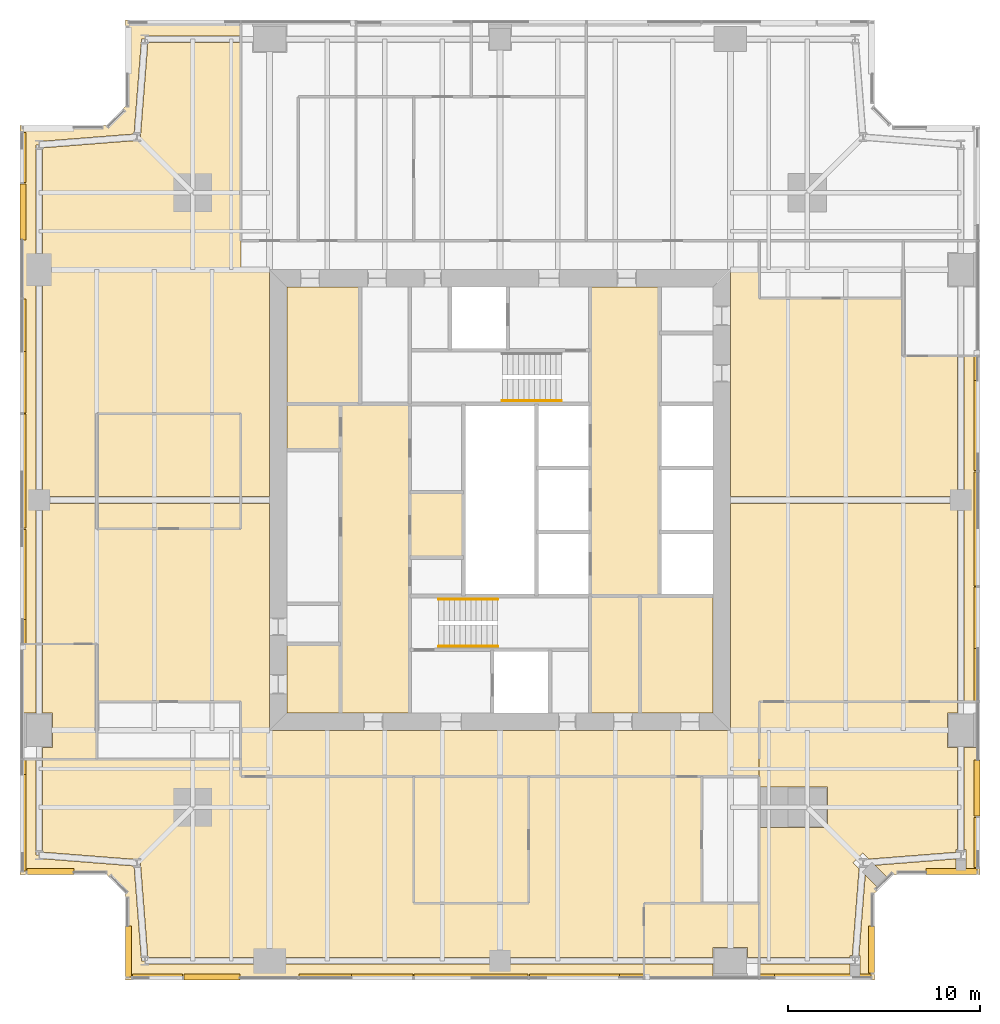
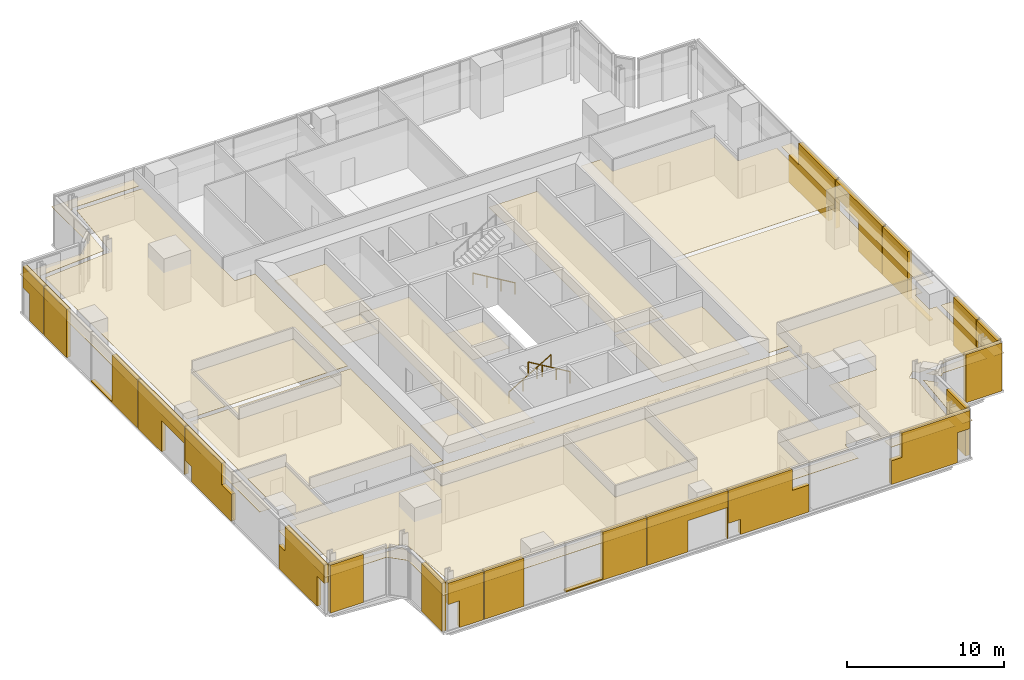
# One storey, part 14 of 15: 50 coverings, 3 railings.
"""IFC4 building model written with IfcOpenShell, lengths in metres."""

import ifcopenshell
import ifcopenshell.guid

model = None  # the IFC model being written
_history = None  # IfcOwnerHistory: only IFC2X3 demands one
_inside = {}  # id of a spatial element -> (the spatial element, [elements in it])
_under = {}  # id of a project, library or spatial element -> (it, [spatial elements below it])
_declared = {}  # id of a project -> (the project, [libraries it declares])
_typed = {}  # id of a type object -> (the type object, [elements of that type])
_made_of = {}  # id of a material, layer set ... -> (it, [elements and type objects made of it])


def new_model(schema):
    """Start an empty IFC model of exactly this schema.

    Asked for "IFC4X3", IfcOpenShell would pick the latest addendum, in which some entities
    have other attributes; the version numbers below select the first issue.
    IFC2X3 requires an IfcOwnerHistory on every rooted entity: one is made here for all.
    """
    global model, _history
    if schema == "IFC4X3":
        model = ifcopenshell.file(schema_version=(4, 3, 0, 0))
    else:
        model = ifcopenshell.file(schema=schema)
    _inside.clear()
    _under.clear()
    _declared.clear()
    _typed.clear()
    _made_of.clear()
    _history = None
    if model.schema == "IFC2X3":
        org = make("IfcOrganization", Name="unknown")
        user = make(
            "IfcPersonAndOrganization",
            ThePerson=make("IfcPerson", FamilyName="unknown"),
            TheOrganization=org,
        )
        app = make(
            "IfcApplication",
            ApplicationDeveloper=org,
            Version="unknown",
            ApplicationFullName="unknown",
            ApplicationIdentifier="unknown",
        )
        _history = make(
            "IfcOwnerHistory",
            OwningUser=user,
            OwningApplication=app,
            ChangeAction="ADDED",
            CreationDate=0,
        )
    return model


def make(cls, **values):
    """One entity of the class cls with the attributes given. An attribute that is None is left unset."""
    return model.create_entity(
        cls, **{name: value for name, value in values.items() if value is not None}
    )


def rooted(cls, **values):
    """An entity with a GlobalId (a new one), such as an element, a storey or a relation."""
    return make(cls, GlobalId=ifcopenshell.guid.new(), OwnerHistory=_history, **values)


def si_unit(unit_type, name, prefix=None):
    """IfcSIUnit, for example si_unit("LENGTHUNIT", "METRE", prefix="MILLI")."""
    return make("IfcSIUnit", UnitType=unit_type, Prefix=prefix, Name=name)


def assignment(units):
    """IfcUnitAssignment: the units of a project."""
    return None if units is None else make("IfcUnitAssignment", Units=units)


def point(xyz):
    """IfcCartesianPoint."""
    return None if xyz is None else make("IfcCartesianPoint", Coordinates=xyz)


def direction(xyz):
    """IfcDirection."""
    return None if xyz is None else make("IfcDirection", DirectionRatios=xyz)


def frame(location, z_axis=None, x_axis=None):
    """IfcAxis2Placement3D, a coordinate frame: its origin and axes. An axis left out is left unset."""
    return make(
        "IfcAxis2Placement3D",
        Location=point(location),
        Axis=direction(z_axis),
        RefDirection=direction(x_axis),
    )


def frame_2d(location, x_axis=None):
    """IfcAxis2Placement2D, a coordinate frame in the plane: its origin and x axis."""
    return make(
        "IfcAxis2Placement2D", Location=point(location), RefDirection=direction(x_axis)
    )


def origin():
    """The frame at (0, 0, 0) with its axes left unset."""
    return frame((0.0, 0.0, 0.0))


def origin_2d():
    """The frame at (0, 0) in the plane with its x axis left unset."""
    return frame_2d((0.0, 0.0))


def place(relative_to, where):
    """IfcLocalPlacement: puts the frame where relative to a parent placement (None: the world)."""
    return make(
        "IfcLocalPlacement", PlacementRelTo=relative_to, RelativePlacement=where
    )


def context(
    kind, dimensions, precision=None, world=None, true_north=None, identifier=None
):
    """IfcGeometricRepresentationContext, for example the 3D "Model" context."""
    return make(
        "IfcGeometricRepresentationContext",
        ContextIdentifier=identifier,
        ContextType=kind,
        CoordinateSpaceDimension=dimensions,
        Precision=precision,
        WorldCoordinateSystem=world,
        TrueNorth=true_north,
    )


def subcontext(parent, identifier, kind, view, scale=None):
    """IfcGeometricRepresentationSubContext, for example "Body" below "Model"."""
    return make(
        "IfcGeometricRepresentationSubContext",
        ContextIdentifier=identifier,
        ContextType=kind,
        ParentContext=parent,
        TargetScale=scale,
        TargetView=view,
    )


def project(units=None, contexts=None):
    """IfcProject with its units and contexts."""
    return rooted(
        "IfcProject",
        Name="project",
        RepresentationContexts=contexts,
        UnitsInContext=assignment(units),
    )


def spatial(cls, under=None, at=None, **own):
    """A site, building, storey or space (cls), placed at a placement, below another one or the project."""
    s = rooted(cls, ObjectPlacement=at, **own)
    if under is not None:
        _under.setdefault(under.id(), (under, []))[1].append(s)
    return s


def polyline(points):
    """IfcPolyline through the points."""
    return make("IfcPolyline", Points=[point(p) for p in points])


def profile(cls, at=None, kind="AREA", **sizes):
    """A parametric profile (cls). Its sizes go by their IFC names, for example OverallWidth=200.0."""
    return make(cls, ProfileType=kind, Position=at, **sizes)


def circle(**sizes):
    """IfcCircleProfileDef."""
    return profile("IfcCircleProfileDef", **sizes)


def outline(outer, holes=None, kind="AREA"):
    """IfcArbitraryClosedProfileDef: a profile drawn as a closed curve; with holes, ...WithVoids."""
    if holes is None:
        return make("IfcArbitraryClosedProfileDef", ProfileType=kind, OuterCurve=outer)
    return make(
        "IfcArbitraryProfileDefWithVoids",
        ProfileType=kind,
        OuterCurve=outer,
        InnerCurves=holes,
    )


def extrude(swept, where, along, depth):
    """IfcExtrudedAreaSolid: the profile swept, set in the frame where, extruded along a direction by depth."""
    return make(
        "IfcExtrudedAreaSolid",
        SweptArea=swept,
        Position=where,
        ExtrudedDirection=direction(along),
        Depth=depth,
    )


def shape(context_of_items, identifier, shape_type, items):
    """IfcShapeRepresentation: the items that make up one representation, for example the "Body"."""
    return make(
        "IfcShapeRepresentation",
        ContextOfItems=context_of_items,
        RepresentationIdentifier=identifier,
        RepresentationType=shape_type,
        Items=items,
    )


def material(Name=None, Category=None):
    """IfcMaterial."""
    return make("IfcMaterial", Name=Name, Category=Category)


def layer(
    of_material, thickness, ventilated=None, Name=None, Category=None, Priority=None
):
    """IfcMaterialLayer: one layer of a wall or slab, of a material (None: an air gap)."""
    return make(
        "IfcMaterialLayer",
        Material=of_material,
        LayerThickness=thickness,
        IsVentilated=ventilated,
        Name=Name,
        Category=Category,
        Priority=Priority,
    )


def layer_set(layers, Name=None):
    """IfcMaterialLayerSet."""
    return make("IfcMaterialLayerSet", MaterialLayers=layers, LayerSetName=Name)


def made_of(thing, what):
    """Note that an element or type object is made of a material, layer set ...; save() writes the relation."""
    if what is not None:
        _made_of.setdefault(what.id(), (what, []))[1].append(thing)
    return thing


def type_object(cls, material=None, **own):
    """A type object (cls), such as IfcWallType, which elements share."""
    return made_of(rooted(cls, **own), material)


def element(
    cls,
    number,
    at=None,
    inside=None,
    cuts=None,
    type_object=None,
    material=None,
    context=None,
    identifier="Body",
    shape_type=None,
    held_by="IfcProductDefinitionShape",
    body=None,
    shapes=None,
    **own,
):
    """One element of the class cls, such as IfcWall. Its Tag is "e" and its number.

    at: its placement. inside: the storey or other place that contains it. cuts: it is an
    opening in that element (IfcRelVoidsElement). A single representation is given by context,
    identifier, shape_type and body (its items); several are given by shapes. held_by: the class
    of the entity that holds the representations. save() writes the other relations.
    """
    e = rooted(cls, Tag="e%d" % number, ObjectPlacement=at, **own)
    if body is not None:
        shapes = [shape(context, identifier, shape_type, body)]
    if shapes is not None:
        e.Representation = make(held_by, Representations=shapes)
    if inside is not None:
        _inside.setdefault(inside.id(), (inside, []))[1].append(e)
    if cuts is not None:
        rooted(
            "IfcRelVoidsElement", RelatingBuildingElement=cuts, RelatedOpeningElement=e
        )
    if type_object is not None:
        _typed.setdefault(type_object.id(), (type_object, []))[1].append(e)
    return made_of(e, material)


def aggregate(whole, parts):
    """IfcRelAggregates: a whole, such as a stair, and the parts it consists of."""
    return rooted("IfcRelAggregates", RelatingObject=whole, RelatedObjects=parts)


def save(model, path):
    """Write the relations noted so far, then the file.

    IfcRelAggregates (storeys below a building ...), IfcRelContainedInSpatialStructure (elements
    in a storey), IfcRelDefinesByType, IfcRelAssociatesMaterial and IfcRelDeclares: one each for
    every whole, place, type object, material and project.
    """
    for whole, parts in _under.values():
        aggregate(whole, parts)
    for where, things in _inside.values():
        rooted(
            "IfcRelContainedInSpatialStructure",
            RelatedElements=things,
            RelatingStructure=where,
        )
    for kind, things in _typed.values():
        rooted("IfcRelDefinesByType", RelatedObjects=things, RelatingType=kind)
    for what, things in _made_of.values():
        rooted("IfcRelAssociatesMaterial", RelatedObjects=things, RelatingMaterial=what)
    for by, libraries in _declared.values():
        rooted("IfcRelDeclares", RelatingContext=by, RelatedDefinitions=libraries)
    model.write(path)


model = new_model("IFC4")

# Units and contexts
model_context = context("Model", 3, precision=1e-05, world=origin(), true_north=direction((0.0, 1.0)))
body_context = subcontext(model_context, "Body", "Model", "MODEL_VIEW")
ifc_project = project(units=[si_unit("LENGTHUNIT", "METRE"), si_unit("AREAUNIT", "SQUARE_METRE"), si_unit("VOLUMEUNIT", "CUBIC_METRE"), si_unit("PLANEANGLEUNIT", "RADIAN"), si_unit("MASSUNIT", "GRAM", prefix="KILO")], contexts=[model_context])

# Site, building, storey
site_placement = place(None, origin())
site = spatial("IfcSite", under=ifc_project, at=site_placement, CompositionType="ELEMENT")
building_placement = place(site_placement, origin())
building = spatial("IfcBuilding", under=site, at=building_placement, Name="Fenwick Lantern Interchange", CompositionType="ELEMENT")
storey_placement = place(building_placement, frame((0.0, 0.0, 209.800048828125)))
storey = spatial("IfcBuildingStorey", under=building, at=storey_placement, Name="L49", CompositionType="ELEMENT", Elevation=209.800048828125)

# Coverings
ifc_material_1 = material(Name="Mineral fibre acoustic tile on suspended grid")
ifc_layer_1 = layer(ifc_material_1, 0.02001953125)
ifc_layer_set_1 = layer_set([ifc_layer_1], Name="ACOUSTIC TILE CEILING 20")
covering_type_1 = type_object("IfcCoveringType", Name="ACOUSTIC TILE CEILING 20", PredefinedType="CEILING", material=ifc_layer_set_1)
covering_1_placement = place(storey_placement, frame((0.0, 0.0, 2.699951171875)))
element("IfcCovering", 1, at=covering_1_placement, inside=storey, type_object=covering_type_1, Name="Mail room ceiling", PredefinedType="CEILING", context=body_context, shape_type="SweptSolid", body=[
    extrude(outline(polyline([(13.89990234375, 27.60009765625), (16.699951171875, 27.60009765625), (16.699951171875, 30.0), (13.89990234375, 30.0), (13.89990234375, 27.60009765625)])), origin(), (0.0, 0.0, 1.0), 0.02001953125),
])
covering_2_placement = place(storey_placement, frame((0.0, 0.0, 2.89990234375)))
element("IfcCovering", 2, at=covering_2_placement, inside=storey, type_object=covering_type_1, Name="Open office ceiling", PredefinedType="CEILING", context=body_context, shape_type="SweptSolid", body=[
    extrude(outline(polyline([(26.5, 10.60009765625), (26.5, 4.0), (20.5, 4.0), (20.5, 10.60009765625), (11.5, 10.60009765625), (11.5, 11.5), (1.17236328125, 11.5), (1.17236328125, 6.659423828125), (6.113525390625, 6.27197265625), (6.10009765625, 6.10009765625), (6.27197265625, 6.113525390625), (6.659423828125, 1.17236328125), (13.0, 1.17236328125), (25.0, 1.17236328125), (32.5, 1.17236328125), (32.5, 4.0), (35.5, 4.0), (35.5, 10.60009765625), (26.5, 10.60009765625)])), origin(), (0.0, 0.0, 1.0), 0.02001953125),
])
covering_3_placement = place(storey_placement, frame((0.0, 0.0, 2.89990234375)))
element("IfcCovering", 3, at=covering_3_placement, inside=storey, type_object=covering_type_1, Name="Open office ceiling", PredefinedType="CEILING", context=body_context, shape_type="SweptSolid", body=[
    extrude(outline(polyline([(32.5, 0.0), (32.5, 0.82763671875), (25.0, 0.82763671875), (13.0, 0.82763671875), (6.5, 0.82763671875), (6.5, 1.0), (6.328125, 0.986572265625), (5.939697265625, 5.939697265625), (0.986572265625, 6.328125), (1.0, 6.5), (0.82763671875, 6.5), (0.82763671875, 11.5), (0.0, 11.5), (0.0, 5.5), (4.5, 5.5), (5.5, 4.5), (5.5, 0.0), (32.5, 0.0)])), origin(), (0.0, 0.0, 1.0), 0.02001953125),
])
covering_4_placement = place(storey_placement, frame((0.0, 0.0, 2.89990234375)))
element("IfcCovering", 4, at=covering_4_placement, inside=storey, type_object=covering_type_1, Name="Meeting room ceiling", PredefinedType="CEILING", context=body_context, shape_type="SweptSolid", body=[
    extrude(outline(polyline([(20.5, 4.0), (26.5, 4.0), (26.5, 10.60009765625), (20.5, 10.60009765625), (20.5, 4.0)])), origin(), (0.0, 0.0, 1.0), 0.02001953125),
])
covering_5_placement = place(storey_placement, frame((0.0, 0.0, 2.89990234375)))
element("IfcCovering", 5, at=covering_5_placement, inside=storey, type_object=covering_type_1, Name="Office ceiling", PredefinedType="CEILING", context=body_context, shape_type="SweptSolid", body=[
    extrude(outline(polyline([(32.5, 4.0), (32.5, 1.17236328125), (36.10009765625, 1.17236328125), (36.10009765625, 1.699951171875), (37.89990234375, 1.699951171875), (37.89990234375, 1.17236328125), (38.5, 1.17236328125), (38.5, 4.0), (32.5, 4.0)])), origin(), (0.0, 0.0, 1.0), 0.02001953125),
])
covering_6_placement = place(storey_placement, frame((0.0, 0.0, 2.89990234375)))
element("IfcCovering", 6, at=covering_6_placement, inside=storey, type_object=covering_type_1, Name="Office ceiling", PredefinedType="CEILING", context=body_context, shape_type="SweptSolid", body=[
    extrude(outline(polyline([(32.5, 0.82763671875), (32.5, 0.0), (36.10009765625, 0.0), (36.10009765625, 0.82763671875), (32.5, 0.82763671875)])), origin(), (0.0, 0.0, 1.0), 0.02001953125),
])
covering_7_placement = place(storey_placement, frame((0.0, 0.0, 2.89990234375)))
element("IfcCovering", 7, at=covering_7_placement, inside=storey, type_object=covering_type_1, Name="Open office ceiling", PredefinedType="CEILING", context=body_context, shape_type="SweptSolid", body=[
    extrude(outline(polyline([(38.5, 14.5), (48.82763671875, 14.5), (48.82763671875, 24.824951171875), (37.0, 24.824951171875), (37.0, 13.0), (38.5, 13.0), (38.5, 14.5)])), origin(), (0.0, 0.0, 1.0), 0.02001953125),
])
covering_8_placement = place(storey_placement, frame((0.0, 0.0, 2.89990234375)))
element("IfcCovering", 8, at=covering_8_placement, inside=storey, type_object=covering_type_1, Name="Open office ceiling", PredefinedType="CEILING", context=body_context, shape_type="SweptSolid", body=[
    extrude(outline(polyline([(46.0, 32.5), (46.0, 35.5), (38.5, 35.5), (38.5, 37.0), (37.0, 37.0), (37.0, 25.175048828125), (48.82763671875, 25.175048828125), (48.82763671875, 32.5), (46.0, 32.5)])), origin(), (0.0, 0.0, 1.0), 0.02001953125),
])
covering_9_placement = place(storey_placement, frame((0.0, 0.0, 2.89990234375)))
element("IfcCovering", 9, at=covering_9_placement, inside=storey, type_object=covering_type_1, Name="Open office ceiling", PredefinedType="CEILING", context=body_context, shape_type="SweptSolid", body=[
    extrude(outline(polyline([(50.0, 32.5), (49.17236328125, 32.5), (49.17236328125, 25.0), (49.17236328125, 14.5), (50.0, 14.5), (50.0, 32.5)])), origin(), (0.0, 0.0, 1.0), 0.02001953125),
])
covering_10_placement = place(storey_placement, frame((0.0, 0.0, 2.89990234375)))
element("IfcCovering", 10, at=covering_10_placement, inside=storey, type_object=covering_type_1, Name="Office lounge ceiling", PredefinedType="CEILING", context=body_context, shape_type="SweptSolid", body=[
    extrude(outline(polyline([(43.23779296875, 1.28759765625), (43.349609375, 1.28759765625), (43.701904296875, 5.77783203125), (43.379638671875, 6.10009765625), (43.89990234375, 6.620361328125), (44.22216796875, 6.298095703125), (48.73779296875, 6.65234375), (48.73779296875, 6.78759765625), (48.82763671875, 6.78759765625), (48.82763671875, 12.10009765625), (48.300048828125, 12.10009765625), (48.300048828125, 13.89990234375), (48.82763671875, 13.89990234375), (48.82763671875, 14.5), (38.5, 14.5), (38.5, 10.050048828125), (42.050048828125, 10.050048828125), (42.050048828125, 7.949951171875), (38.5, 7.949951171875), (38.5, 1.17236328125), (43.23779296875, 1.17236328125), (43.23779296875, 1.28759765625)])), origin(), (0.0, 0.0, 1.0), 0.02001953125),
])
covering_11_placement = place(storey_placement, frame((0.0, 0.0, 2.89990234375)))
element("IfcCovering", 11, at=covering_11_placement, inside=storey, type_object=covering_type_1, Name="Office lounge ceiling", PredefinedType="CEILING", context=body_context, shape_type="SweptSolid", body=[
    extrude(outline(polyline([(50.0, 12.10009765625), (49.17236328125, 12.10009765625), (49.17236328125, 6.78759765625), (49.26220703125, 6.78759765625), (49.26220703125, 5.5), (50.0, 5.5), (50.0, 12.10009765625)])), origin(), (0.0, 0.0, 1.0), 0.02001953125),
])
covering_12_placement = place(storey_placement, frame((0.0, 0.0, 2.89990234375)))
element("IfcCovering", 12, at=covering_12_placement, inside=storey, type_object=covering_type_1, Name="Office lounge ceiling", PredefinedType="CEILING", context=body_context, shape_type="SweptSolid", body=[
    extrude(outline(polyline([(43.23779296875, 0.0), (43.23779296875, 0.82763671875), (38.5, 0.82763671875), (38.5, 0.0), (43.23779296875, 0.0)])), origin(), (0.0, 0.0, 1.0), 0.02001953125),
])
covering_13_placement = place(storey_placement, frame((0.0, 0.0, 2.89990234375)))
element("IfcCovering", 13, at=covering_13_placement, inside=storey, type_object=covering_type_1, Name="Office lounge ceiling", PredefinedType="CEILING", context=body_context, shape_type="SweptSolid", body=[
    extrude(outline(polyline([(43.695556640625, 1.28759765625), (43.76220703125, 1.28759765625), (43.76220703125, 0.0), (44.5, 0.0), (44.5, 4.5), (44.73974609375, 4.73974609375), (44.0224609375, 5.457275390625), (43.695556640625, 1.28759765625)])), origin(), (0.0, 0.0, 1.0), 0.02001953125),
])
covering_14_placement = place(storey_placement, frame((0.0, 0.0, 2.89990234375)))
element("IfcCovering", 14, at=covering_14_placement, inside=storey, type_object=covering_type_1, Name="Office lounge ceiling", PredefinedType="CEILING", context=body_context, shape_type="SweptSolid", body=[
    extrude(outline(polyline([(48.73779296875, 5.5), (48.73779296875, 6.306396484375), (44.542724609375, 5.9775390625), (45.26025390625, 5.26025390625), (45.5, 5.5), (48.73779296875, 5.5)])), origin(), (0.0, 0.0, 1.0), 0.02001953125),
])
covering_15_placement = place(storey_placement, frame((0.0, 0.0, 2.89990234375)))
element("IfcCovering", 15, at=covering_15_placement, inside=storey, type_object=covering_type_1, Name="Open office ceiling", PredefinedType="CEILING", context=body_context, shape_type="SweptSolid", body=[
    extrude(outline(polyline([(11.5, 37.0), (11.5, 48.82763671875), (6.659423828125, 48.82763671875), (6.27197265625, 43.886474609375), (6.10009765625, 43.89990234375), (6.113525390625, 43.72802734375), (1.17236328125, 43.340576171875), (1.17236328125, 37.0), (1.17236328125, 25.175048828125), (4.0, 25.175048828125), (4.0, 29.5), (11.5, 29.5), (11.5, 25.175048828125), (13.0, 25.175048828125), (13.0, 37.0), (11.5, 37.0)])), origin(), (0.0, 0.0, 1.0), 0.02001953125),
])
covering_16_placement = place(storey_placement, frame((0.0, 0.0, 2.89990234375)))
element("IfcCovering", 16, at=covering_16_placement, inside=storey, type_object=covering_type_1, Name="Open office ceiling", PredefinedType="CEILING", context=body_context, shape_type="SweptSolid", body=[
    extrude(outline(polyline([(4.0, 17.5), (4.0, 14.5), (11.5, 14.5), (11.5, 13.0), (13.0, 13.0), (13.0, 24.824951171875), (11.5, 24.824951171875), (11.5, 23.5), (4.0, 23.5), (4.0, 24.824951171875), (1.17236328125, 24.824951171875), (1.17236328125, 17.5), (4.0, 17.5)])), origin(), (0.0, 0.0, 1.0), 0.02001953125),
])
covering_17_placement = place(storey_placement, frame((0.0, 0.0, 2.89990234375)))
element("IfcCovering", 17, at=covering_17_placement, inside=storey, type_object=covering_type_1, Name="Open office ceiling", PredefinedType="CEILING", context=body_context, shape_type="SweptSolid", body=[
    extrude(outline(polyline([(0.0, 17.5), (0.82763671875, 17.5), (0.82763671875, 25.0), (0.82763671875, 37.0), (0.82763671875, 43.5), (1.0, 43.5), (0.986572265625, 43.671875), (5.939697265625, 44.060302734375), (6.328125, 49.013427734375), (6.5, 49.0), (6.5, 49.17236328125), (11.5, 49.17236328125), (11.5, 50.0), (5.5, 50.0), (5.5, 45.5), (4.5, 44.5), (0.0, 44.5), (0.0, 17.5)])), origin(), (0.0, 0.0, 1.0), 0.02001953125),
])
covering_18_placement = place(storey_placement, frame((0.0, 0.0, 2.89990234375)))
element("IfcCovering", 18, at=covering_18_placement, inside=storey, type_object=covering_type_1, Name="Meeting room ceiling", PredefinedType="CEILING", context=body_context, shape_type="SweptSolid", body=[
    extrude(outline(polyline([(11.5, 29.5), (4.0, 29.5), (4.0, 25.175048828125), (11.5, 25.175048828125), (11.5, 29.5)])), origin(), (0.0, 0.0, 1.0), 0.02001953125),
])
covering_19_placement = place(storey_placement, frame((0.0, 0.0, 2.89990234375)))
element("IfcCovering", 19, at=covering_19_placement, inside=storey, type_object=covering_type_1, Name="Meeting room ceiling", PredefinedType="CEILING", context=body_context, shape_type="SweptSolid", body=[
    extrude(outline(polyline([(11.5, 23.5), (11.5, 24.824951171875), (4.0, 24.824951171875), (4.0, 23.5), (11.5, 23.5)])), origin(), (0.0, 0.0, 1.0), 0.02001953125),
])
covering_20_placement = place(storey_placement, frame((0.0, 0.0, 2.89990234375)))
element("IfcCovering", 20, at=covering_20_placement, inside=storey, type_object=covering_type_1, Name="Office ceiling", PredefinedType="CEILING", context=body_context, shape_type="SweptSolid", body=[
    extrude(outline(polyline([(4.0, 17.5), (1.17236328125, 17.5), (1.17236328125, 13.89990234375), (1.699951171875, 13.89990234375), (1.699951171875, 12.10009765625), (1.17236328125, 12.10009765625), (1.17236328125, 11.5), (4.0, 11.5), (4.0, 17.5)])), origin(), (0.0, 0.0, 1.0), 0.02001953125),
])
covering_21_placement = place(storey_placement, frame((0.0, 0.0, 2.89990234375)))
element("IfcCovering", 21, at=covering_21_placement, inside=storey, type_object=covering_type_1, Name="Office ceiling", PredefinedType="CEILING", context=body_context, shape_type="SweptSolid", body=[
    extrude(outline(polyline([(0.82763671875, 17.5), (0.0, 17.5), (0.0, 13.89990234375), (0.82763671875, 13.89990234375), (0.82763671875, 17.5)])), origin(), (0.0, 0.0, 1.0), 0.02001953125),
])
ifc_material_2 = material(Name="Granite cladding, warm grey flamed finish, on aluminium carrier frame", Category="masonry")
ifc_layer_2 = layer(ifc_material_2, 0.300048828125)
ifc_layer_set_2 = layer_set([ifc_layer_2], Name="BRACE CASING PANEL 300")
covering_type_2 = type_object("IfcCoveringType", Name="BRACE CASING PANEL 300", PredefinedType="CLADDING", material=ifc_layer_set_2)
covering_22_placement = place(storey_placement, frame((5.60009765625, 0.10009765625, 0.0), z_axis=(0.0, 0.0, 1.0), x_axis=(1.0, 0.0, 0.0)))
element("IfcCovering", 22, at=covering_22_placement, inside=storey, type_object=covering_type_2, Name="Brace casing 01 bay 00a", PredefinedType="CLADDING", context=body_context, shape_type="SweptSolid", body=[
    extrude(outline(polyline([(1.114990234375, 0.0), (2.867431640625, 0.0), (2.867431640625, 3.75), (0.264892578125, 3.75), (0.264892578125, 2.082275390625), (1.114990234375, 2.082275390625), (1.114990234375, 0.0)])), frame((0.0, 0.2001953125, 0.0), z_axis=(0.0, -1.0, 0.0), x_axis=(1.0, 0.0, 0.0)), (0.0, 0.0, 1.0), 0.300048828125),
])
covering_23_placement = place(storey_placement, frame((5.60009765625, 0.10009765625, 0.0), z_axis=(0.0, 0.0, 1.0), x_axis=(1.0, 0.0, 0.0)))
element("IfcCovering", 23, at=covering_23_placement, inside=storey, type_object=covering_type_2, Name="Brace casing 01 bay 01a", PredefinedType="CLADDING", context=body_context, shape_type="SweptSolid", body=[
    extrude(outline(polyline([(2.9326171875, 0.0), (5.84814453125, 0.0), (5.84814453125, 3.75), (2.9326171875, 3.75), (2.9326171875, 0.0)])), frame((0.0, 0.2001953125, 0.0), z_axis=(0.0, -1.0, 0.0), x_axis=(1.0, 0.0, 0.0)), (0.0, 0.0, 1.0), 0.300048828125),
])
covering_24_placement = place(storey_placement, frame((5.60009765625, 0.10009765625, 0.0), z_axis=(0.0, 0.0, 1.0), x_axis=(1.0, 0.0, 0.0)))
element("IfcCovering", 24, at=covering_24_placement, inside=storey, type_object=covering_type_2, Name="Brace casing 01 bay 02a", PredefinedType="CLADDING", context=body_context, shape_type="SweptSolid", body=[
    extrude(outline(polyline([(8.9326171875, 0.0), (14.867431640625, 0.0), (14.867431640625, 3.75), (11.672607421875, 3.75), (11.672607421875, 0.090576171875), (8.9326171875, 0.090576171875), (8.9326171875, 0.0)])), frame((0.0, 0.2001953125, 0.0), z_axis=(0.0, -1.0, 0.0), x_axis=(1.0, 0.0, 0.0)), (0.0, 0.0, 1.0), 0.300048828125),
])
covering_25_placement = place(storey_placement, frame((5.60009765625, 0.10009765625, 0.0), z_axis=(0.0, 0.0, 1.0), x_axis=(1.0, 0.0, 0.0)))
element("IfcCovering", 25, at=covering_25_placement, inside=storey, type_object=covering_type_2, Name="Brace casing 01 bay 03a", PredefinedType="CLADDING", context=body_context, shape_type="SweptSolid", body=[
    extrude(outline(polyline([(14.9326171875, 0.0), (17.9345703125, 0.0), (17.9345703125, 2.43994140625), (20.864501953125, 2.43994140625), (20.864501953125, 0.0), (20.867431640625, 0.0), (20.867431640625, 3.75), (14.9326171875, 3.75), (14.9326171875, 0.0)])), frame((0.0, 0.2001953125, 0.0), z_axis=(0.0, -1.0, 0.0), x_axis=(1.0, 0.0, 0.0)), (0.0, 0.0, 1.0), 0.300048828125),
])
covering_26_placement = place(storey_placement, frame((5.60009765625, 0.10009765625, 0.0), z_axis=(0.0, 0.0, 1.0), x_axis=(1.0, 0.0, 0.0)))
element("IfcCovering", 26, at=covering_26_placement, inside=storey, type_object=covering_type_2, Name="Brace casing 01 bay 04a", PredefinedType="CLADDING", context=body_context, shape_type="SweptSolid", body=[
    extrude(outline(polyline([(21.8125, 0.0), (26.867431640625, 0.0), (26.867431640625, 2.0966796875), (25.623046875, 2.0966796875), (25.623046875, 3.75), (20.9326171875, 3.75), (20.9326171875, 1.17724609375), (21.8125, 1.17724609375), (21.8125, 0.0)])), frame((0.0, 0.2001953125, 0.0), z_axis=(0.0, -1.0, 0.0), x_axis=(1.0, 0.0, 0.0)), (0.0, 0.0, 1.0), 0.300048828125),
])
covering_27_placement = place(storey_placement, frame((5.60009765625, 0.10009765625, 0.0), z_axis=(0.0, 0.0, 1.0), x_axis=(1.0, 0.0, 0.0)))
element("IfcCovering", 27, at=covering_27_placement, inside=storey, type_object=covering_type_2, Name="Brace casing 01 bay 06a", PredefinedType="CLADDING", context=body_context, shape_type="SweptSolid", body=[
    extrude(outline(polyline([(32.9326171875, 0.0), (37.7890625, 0.0), (37.7890625, 2.33837890625), (38.735107421875, 2.33837890625), (38.735107421875, 3.75), (33.702392578125, 3.75), (33.702392578125, 1.843994140625), (32.9326171875, 1.843994140625), (32.9326171875, 0.0)])), frame((0.0, 0.2001953125, 0.0), z_axis=(0.0, -1.0, 0.0), x_axis=(1.0, 0.0, 0.0)), (0.0, 0.0, 1.0), 0.300048828125),
])
covering_28_placement = place(storey_placement, frame((44.39990234375, 0.10009765625, 0.0), z_axis=(0.0, 0.0, 1.0), x_axis=(0.0, 1.0, 0.0)))
element("IfcCovering", 28, at=covering_28_placement, inside=storey, type_object=covering_type_2, Name="Brace casing 02 bay 00a", PredefinedType="CLADDING", context=body_context, shape_type="SweptSolid", body=[
    extrude(outline(polyline([(0.264892578125, 0.0), (2.699951171875, 0.0), (2.699951171875, 3.75), (0.264892578125, 3.75), (0.264892578125, 0.0)])), frame((0.0, 0.2001953125, 0.0), z_axis=(0.0, -1.0, 0.0), x_axis=(1.0, 0.0, 0.0)), (0.0, 0.0, 1.0), 0.300048828125),
])
covering_29_placement = place(storey_placement, frame((45.45849609375, 5.60009765625, 0.0), z_axis=(0.0, 0.0, 1.0), x_axis=(1.0, 0.0, 0.0)))
element("IfcCovering", 29, at=covering_29_placement, inside=storey, type_object=covering_type_2, Name="Brace casing 04 bay 00a", PredefinedType="CLADDING", context=body_context, shape_type="SweptSolid", body=[
    extrude(outline(polyline([(1.741455078125, 0.0), (4.37646484375, 0.0), (4.37646484375, 3.75), (1.741455078125, 3.75), (1.741455078125, 0.0)])), frame((0.0, 0.2001953125, 0.0), z_axis=(0.0, -1.0, 0.0), x_axis=(1.0, 0.0, 0.0)), (0.0, 0.0, 1.0), 0.300048828125),
])
covering_30_placement = place(storey_placement, frame((49.89990234375, 5.60009765625, 0.0), z_axis=(0.0, 0.0, 1.0), x_axis=(0.0, 1.0, 0.0)))
element("IfcCovering", 30, at=covering_30_placement, inside=storey, type_object=covering_type_2, Name="Brace casing 05 bay 00a", PredefinedType="CLADDING", context=body_context, shape_type="SweptSolid", body=[
    extrude(outline(polyline([(1.114990234375, 0.0), (2.867431640625, 0.0), (2.867431640625, 3.75), (0.264892578125, 3.75), (0.264892578125, 2.082275390625), (1.114990234375, 2.082275390625), (1.114990234375, 0.0)])), frame((0.0, 0.2001953125, 0.0), z_axis=(0.0, -1.0, 0.0), x_axis=(1.0, 0.0, 0.0)), (0.0, 0.0, 1.0), 0.300048828125),
])
covering_31_placement = place(storey_placement, frame((49.89990234375, 5.60009765625, 0.0), z_axis=(0.0, 0.0, 1.0), x_axis=(0.0, 1.0, 0.0)))
element("IfcCovering", 31, at=covering_31_placement, inside=storey, type_object=covering_type_2, Name="Brace casing 05 bay 01a", PredefinedType="CLADDING", context=body_context, shape_type="SweptSolid", body=[
    extrude(outline(polyline([(2.9326171875, 0.0), (5.84814453125, 0.0), (5.84814453125, 3.75), (2.9326171875, 3.75), (2.9326171875, 0.0)])), frame((0.0, 0.2001953125, 0.0), z_axis=(0.0, -1.0, 0.0), x_axis=(1.0, 0.0, 0.0)), (0.0, 0.0, 1.0), 0.300048828125),
])
covering_32_placement = place(storey_placement, frame((49.89990234375, 5.60009765625, 0.0), z_axis=(0.0, 0.0, 1.0), x_axis=(0.0, 1.0, 0.0)))
element("IfcCovering", 32, at=covering_32_placement, inside=storey, type_object=covering_type_2, Name="Brace casing 05 bay 02a", PredefinedType="CLADDING", context=body_context, shape_type="SweptSolid", body=[
    extrude(outline(polyline([(8.9326171875, 0.0), (14.867431640625, 0.0), (14.867431640625, 3.75), (11.672607421875, 3.75), (11.672607421875, 0.090576171875), (8.9326171875, 0.090576171875), (8.9326171875, 0.0)])), frame((0.0, 0.2001953125, 0.0), z_axis=(0.0, -1.0, 0.0), x_axis=(1.0, 0.0, 0.0)), (0.0, 0.0, 1.0), 0.300048828125),
])
covering_33_placement = place(storey_placement, frame((49.89990234375, 5.60009765625, 0.0), z_axis=(0.0, 0.0, 1.0), x_axis=(0.0, 1.0, 0.0)))
element("IfcCovering", 33, at=covering_33_placement, inside=storey, type_object=covering_type_2, Name="Brace casing 05 bay 03a", PredefinedType="CLADDING", context=body_context, shape_type="SweptSolid", body=[
    extrude(outline(polyline([(14.9326171875, 0.0), (17.9345703125, 0.0), (17.9345703125, 2.43994140625), (20.864501953125, 2.43994140625), (20.864501953125, 0.0), (20.867431640625, 0.0), (20.867431640625, 3.75), (14.9326171875, 3.75), (14.9326171875, 0.0)])), frame((0.0, 0.2001953125, 0.0), z_axis=(0.0, -1.0, 0.0), x_axis=(1.0, 0.0, 0.0)), (0.0, 0.0, 1.0), 0.300048828125),
])
covering_34_placement = place(storey_placement, frame((49.89990234375, 5.60009765625, 0.0), z_axis=(0.0, 0.0, 1.0), x_axis=(0.0, 1.0, 0.0)))
element("IfcCovering", 34, at=covering_34_placement, inside=storey, type_object=covering_type_2, Name="Brace casing 05 bay 04a", PredefinedType="CLADDING", context=body_context, shape_type="SweptSolid", body=[
    extrude(outline(polyline([(21.8125, 0.0), (26.867431640625, 0.0), (26.867431640625, 2.0966796875), (25.623046875, 2.0966796875), (25.623046875, 3.75), (20.9326171875, 3.75), (20.9326171875, 1.17724609375), (21.8125, 1.17724609375), (21.8125, 0.0)])), frame((0.0, 0.2001953125, 0.0), z_axis=(0.0, -1.0, 0.0), x_axis=(1.0, 0.0, 0.0)), (0.0, 0.0, 1.0), 0.300048828125),
])
covering_35_placement = place(storey_placement, frame((0.10009765625, 44.39990234375, 0.0), z_axis=(0.0, 0.0, 1.0), x_axis=(0.0, -1.0, 0.0)))
element("IfcCovering", 35, at=covering_35_placement, inside=storey, type_object=covering_type_2, Name="Brace casing 13 bay 00a", PredefinedType="CLADDING", context=body_context, shape_type="SweptSolid", body=[
    extrude(outline(polyline([(1.114990234375, 0.0), (2.867431640625, 0.0), (2.867431640625, 3.75), (0.264892578125, 3.75), (0.264892578125, 2.082275390625), (1.114990234375, 2.082275390625), (1.114990234375, 0.0)])), frame((0.0, 0.2001953125, 0.0), z_axis=(0.0, -1.0, 0.0), x_axis=(1.0, 0.0, 0.0)), (0.0, 0.0, 1.0), 0.300048828125),
])
covering_36_placement = place(storey_placement, frame((0.10009765625, 44.39990234375, 0.0), z_axis=(0.0, 0.0, 1.0), x_axis=(0.0, -1.0, 0.0)))
element("IfcCovering", 36, at=covering_36_placement, inside=storey, type_object=covering_type_2, Name="Brace casing 13 bay 01a", PredefinedType="CLADDING", context=body_context, shape_type="SweptSolid", body=[
    extrude(outline(polyline([(2.9326171875, 0.0), (5.84814453125, 0.0), (5.84814453125, 3.75), (2.9326171875, 3.75), (2.9326171875, 0.0)])), frame((0.0, 0.2001953125, 0.0), z_axis=(0.0, -1.0, 0.0), x_axis=(1.0, 0.0, 0.0)), (0.0, 0.0, 1.0), 0.300048828125),
])
covering_37_placement = place(storey_placement, frame((0.10009765625, 44.39990234375, 0.0), z_axis=(0.0, 0.0, 1.0), x_axis=(0.0, -1.0, 0.0)))
element("IfcCovering", 37, at=covering_37_placement, inside=storey, type_object=covering_type_2, Name="Brace casing 13 bay 02a", PredefinedType="CLADDING", context=body_context, shape_type="SweptSolid", body=[
    extrude(outline(polyline([(8.9326171875, 0.0), (14.867431640625, 0.0), (14.867431640625, 3.75), (11.672607421875, 3.75), (11.672607421875, 0.090576171875), (8.9326171875, 0.090576171875), (8.9326171875, 0.0)])), frame((0.0, 0.2001953125, 0.0), z_axis=(0.0, -1.0, 0.0), x_axis=(1.0, 0.0, 0.0)), (0.0, 0.0, 1.0), 0.300048828125),
])
covering_38_placement = place(storey_placement, frame((0.10009765625, 44.39990234375, 0.0), z_axis=(0.0, 0.0, 1.0), x_axis=(0.0, -1.0, 0.0)))
element("IfcCovering", 38, at=covering_38_placement, inside=storey, type_object=covering_type_2, Name="Brace casing 13 bay 03a", PredefinedType="CLADDING", context=body_context, shape_type="SweptSolid", body=[
    extrude(outline(polyline([(14.9326171875, 0.0), (17.9345703125, 0.0), (17.9345703125, 2.43994140625), (20.864501953125, 2.43994140625), (20.864501953125, 0.0), (20.867431640625, 0.0), (20.867431640625, 3.75), (14.9326171875, 3.75), (14.9326171875, 0.0)])), frame((0.0, 0.2001953125, 0.0), z_axis=(0.0, -1.0, 0.0), x_axis=(1.0, 0.0, 0.0)), (0.0, 0.0, 1.0), 0.300048828125),
])
covering_39_placement = place(storey_placement, frame((0.10009765625, 44.39990234375, 0.0), z_axis=(0.0, 0.0, 1.0), x_axis=(0.0, -1.0, 0.0)))
element("IfcCovering", 39, at=covering_39_placement, inside=storey, type_object=covering_type_2, Name="Brace casing 13 bay 04a", PredefinedType="CLADDING", context=body_context, shape_type="SweptSolid", body=[
    extrude(outline(polyline([(21.8125, 0.0), (26.867431640625, 0.0), (26.867431640625, 2.0966796875), (25.623046875, 2.0966796875), (25.623046875, 3.75), (20.9326171875, 3.75), (20.9326171875, 1.17724609375), (21.8125, 1.17724609375), (21.8125, 0.0)])), frame((0.0, 0.2001953125, 0.0), z_axis=(0.0, -1.0, 0.0), x_axis=(1.0, 0.0, 0.0)), (0.0, 0.0, 1.0), 0.300048828125),
])
covering_40_placement = place(storey_placement, frame((0.10009765625, 44.39990234375, 0.0), z_axis=(0.0, 0.0, 1.0), x_axis=(0.0, -1.0, 0.0)))
element("IfcCovering", 40, at=covering_40_placement, inside=storey, type_object=covering_type_2, Name="Brace casing 13 bay 06a", PredefinedType="CLADDING", context=body_context, shape_type="SweptSolid", body=[
    extrude(outline(polyline([(32.9326171875, 0.0), (37.7890625, 0.0), (37.7890625, 2.33837890625), (38.735107421875, 2.33837890625), (38.735107421875, 3.75), (33.702392578125, 3.75), (33.702392578125, 1.843994140625), (32.9326171875, 1.843994140625), (32.9326171875, 0.0)])), frame((0.0, 0.2001953125, 0.0), z_axis=(0.0, -1.0, 0.0), x_axis=(1.0, 0.0, 0.0)), (0.0, 0.0, 1.0), 0.300048828125),
])
covering_41_placement = place(storey_placement, frame((0.10009765625, 5.60009765625, 0.0), z_axis=(0.0, 0.0, 1.0), x_axis=(1.0, 0.0, 0.0)))
element("IfcCovering", 41, at=covering_41_placement, inside=storey, type_object=covering_type_2, Name="Brace casing 14 bay 00a", PredefinedType="CLADDING", context=body_context, shape_type="SweptSolid", body=[
    extrude(outline(polyline([(0.264892578125, 0.0), (2.699951171875, 0.0), (2.699951171875, 3.75), (0.264892578125, 3.75), (0.264892578125, 0.0)])), frame((0.0, 0.2001953125, 0.0), z_axis=(0.0, -1.0, 0.0), x_axis=(1.0, 0.0, 0.0)), (0.0, 0.0, 1.0), 0.300048828125),
])
covering_42_placement = place(storey_placement, frame((5.60009765625, 4.54150390625, 0.0), z_axis=(0.0, 0.0, 1.0), x_axis=(0.0, -1.0, 0.0)))
element("IfcCovering", 42, at=covering_42_placement, inside=storey, type_object=covering_type_2, Name="Brace casing 16 bay 00a", PredefinedType="CLADDING", context=body_context, shape_type="SweptSolid", body=[
    extrude(outline(polyline([(1.741455078125, 0.0), (4.37646484375, 0.0), (4.37646484375, 3.75), (1.741455078125, 3.75), (1.741455078125, 0.0)])), frame((0.0, 0.2001953125, 0.0), z_axis=(0.0, -1.0, 0.0), x_axis=(1.0, 0.0, 0.0)), (0.0, 0.0, 1.0), 0.300048828125),
])

# Railings
ifc_material_3 = material(Name="Stainless steel handrail", Category="steel")
railing_type = type_object("IfcRailingType", Name="HANDRAIL 900", PredefinedType="HANDRAIL", material=ifc_material_3)
railing_placement = place(storey_placement, frame((21.800048828125, 19.825927734375, 0.16650390625)))
element("IfcRailing", 43, at=railing_placement, inside=storey, type_object=railing_type, Name="L49/STAIR/ST1/HR1", PredefinedType="HANDRAIL", context=body_context, shape_type="SweptSolid", body=[
    extrude(circle(Radius=0.02392578125, at=origin_2d()), frame((0.0, 0.0, 0.8759765625), z_axis=(0.859260807169, 0.0, 0.511537745687), x_axis=(0.0, 1.0, 0.0)), (0.0, 0.0, 1.0), 3.584228515625),
    extrude(circle(Radius=0.02099609375, at=origin_2d()), origin(), (0.0, 0.0, 1.0), 0.851806640625),
    extrude(circle(Radius=0.02099609375, at=origin_2d()), frame((1.026611328125, 0.0, 0.611083984375)), (0.0, 0.0, 1.0), 0.851806640625),
    extrude(circle(Radius=0.02099609375, at=origin_2d()), frame((2.05322265625, 0.0, 1.222412109375)), (0.0, 0.0, 1.0), 0.851806640625),
    extrude(circle(Radius=0.02099609375, at=origin_2d()), frame((3.079833984375, 0.0, 1.83349609375)), (0.0, 0.0, 1.0), 0.851806640625),
])
for number, where, name in (
    (44, (24.8798828125, 17.3740234375, 2.16650390625), "L49/STAIR/ST1/HR2"),
    (45, (28.199951171875, 30.174072265625, 0.16650390625), "L49/STAIR/ST2/HR1"),
):
    element("IfcRailing", number, at=place(storey_placement, frame(where)), inside=storey, type_object=railing_type, Name=name, PredefinedType="HANDRAIL", context=body_context, shape_type="SweptSolid", body=[
        extrude(circle(Radius=0.02392578125, at=origin_2d()), frame((0.0, 0.0, 0.8759765625), z_axis=(-0.859260807169, 0.0, 0.511537745687), x_axis=(0.0, -1.0, 0.0)), (0.0, 0.0, 1.0), 3.584228515625),
        extrude(circle(Radius=0.02099609375, at=origin_2d()), origin(), (0.0, 0.0, 1.0), 0.851806640625),
        extrude(circle(Radius=0.02099609375, at=origin_2d()), frame((-1.026611328125, 0.0, 0.611083984375)), (0.0, 0.0, 1.0), 0.851806640625),
        extrude(circle(Radius=0.02099609375, at=origin_2d()), frame((-2.05322265625, 0.0, 1.222412109375)), (0.0, 0.0, 1.0), 0.851806640625),
        extrude(circle(Radius=0.02099609375, at=origin_2d()), frame((-3.079833984375, 0.0, 1.83349609375)), (0.0, 0.0, 1.0), 0.851806640625),
    ])

# Coverings
ifc_material_4 = material(Name="Moisture resistant gypsum board on suspended frame, painted")
ifc_layer_3 = layer(ifc_material_4, 0.014892578125)
ifc_layer_set_3 = layer_set([ifc_layer_3], Name="MOISTURE RESISTANT CEILING 15")
covering_type_3 = type_object("IfcCoveringType", Name="MOISTURE RESISTANT CEILING 15", PredefinedType="CEILING", material=ifc_layer_set_3)
covering_43_placement = place(storey_placement, frame((0.0, 0.0, 2.599853515625)))
element("IfcCovering", 46, at=covering_43_placement, inside=storey, type_object=covering_type_3, Name="Men's WC ceiling", PredefinedType="CEILING", context=body_context, shape_type="SweptSolid", body=[
    extrude(outline(polyline([(29.699951171875, 13.89990234375), (32.300048828125, 13.89990234375), (32.300048828125, 20.0), (29.699951171875, 20.0), (29.699951171875, 13.89990234375)])), origin(), (0.0, 0.0, 1.0), 0.01513671875),
])
covering_44_placement = place(storey_placement, frame((0.0, 0.0, 2.599853515625)))
element("IfcCovering", 47, at=covering_44_placement, inside=storey, type_object=covering_type_3, Name="Women's WC ceiling", PredefinedType="CEILING", context=body_context, shape_type="SweptSolid", body=[
    extrude(outline(polyline([(32.300048828125, 13.89990234375), (36.10009765625, 13.89990234375), (36.10009765625, 20.0), (32.300048828125, 20.0), (32.300048828125, 13.89990234375)])), origin(), (0.0, 0.0, 1.0), 0.01513671875),
])
covering_45_placement = place(storey_placement, frame((0.0, 0.0, 2.599853515625)))
element("IfcCovering", 48, at=covering_45_placement, inside=storey, type_object=covering_type_3, Name="Accessible WC and shower ceiling", PredefinedType="CEILING", context=body_context, shape_type="SweptSolid", body=[
    extrude(outline(polyline([(13.89990234375, 13.89990234375), (16.699951171875, 13.89990234375), (16.699951171875, 17.5), (13.89990234375, 17.5), (13.89990234375, 13.89990234375)])), origin(), (0.0, 0.0, 1.0), 0.01513671875),
])
covering_46_placement = place(storey_placement, frame((0.0, 0.0, 2.699951171875)))
element("IfcCovering", 49, at=covering_46_placement, inside=storey, type_object=covering_type_3, Name="Pantry ceiling", PredefinedType="CEILING", context=body_context, shape_type="SweptSolid", body=[
    extrude(outline(polyline([(20.300048828125, 22.0), (23.10009765625, 22.0), (23.10009765625, 25.39990234375), (20.300048828125, 25.39990234375), (20.300048828125, 22.0)])), origin(), (0.0, 0.0, 1.0), 0.014892578125),
])
covering_47_placement = place(storey_placement, frame((0.0, 0.0, 2.599853515625)))
element("IfcCovering", 50, at=covering_47_placement, inside=storey, type_object=covering_type_3, Name="Women's WC ceiling", PredefinedType="CEILING", context=body_context, shape_type="SweptSolid", body=[
    extrude(outline(polyline([(17.699951171875, 36.10009765625), (13.89990234375, 36.10009765625), (13.89990234375, 30.0), (17.699951171875, 30.0), (17.699951171875, 36.10009765625)])), origin(), (0.0, 0.0, 1.0), 0.01513671875),
])
ifc_material_5 = material(Name="Gypsum plasterboard on suspended frame, painted")
ifc_layer_4 = layer(ifc_material_5, 0.014892578125)
ifc_layer_set_4 = layer_set([ifc_layer_4], Name="PLASTERBOARD CEILING 15")
covering_type_4 = type_object("IfcCoveringType", Name="PLASTERBOARD CEILING 15", PredefinedType="CEILING", material=ifc_layer_set_4)
covering_48_placement = place(storey_placement, frame((0.0, 0.0, 2.800048828125)))
element("IfcCovering", 51, at=covering_48_placement, inside=storey, type_object=covering_type_4, Name="Lift lobby ceiling", PredefinedType="CEILING", context=body_context, shape_type="SweptSolid", body=[
    extrude(outline(polyline([(16.699951171875, 13.89990234375), (20.300048828125, 13.89990234375), (20.300048828125, 30.0), (16.699951171875, 30.0), (16.699951171875, 13.89990234375)])), origin(), (0.0, 0.0, 1.0), 0.014892578125),
])
covering_49_placement = place(storey_placement, frame((0.0, 0.0, 2.800048828125)))
element("IfcCovering", 52, at=covering_49_placement, inside=storey, type_object=covering_type_4, Name="Lift lobby ceiling", PredefinedType="CEILING", context=body_context, shape_type="SweptSolid", body=[
    extrude(outline(polyline([(33.300048828125, 36.10009765625), (29.699951171875, 36.10009765625), (29.699951171875, 20.0), (33.300048828125, 20.0), (33.300048828125, 36.10009765625)])), origin(), (0.0, 0.0, 1.0), 0.014892578125),
])
covering_50_placement = place(storey_placement, frame((0.0, 0.0, 2.599853515625)))
element("IfcCovering", 53, at=covering_50_placement, inside=storey, type_object=covering_type_4, Name="Corridor ceiling", PredefinedType="CEILING", context=body_context, shape_type="SweptSolid", body=[
    extrude(outline(polyline([(11.5, 10.60009765625), (38.5, 10.60009765625), (38.5, 13.0), (11.5, 13.0), (11.5, 10.60009765625)])), origin(), (0.0, 0.0, 1.0), 0.01513671875),
])

save(model, "model.ifc")
